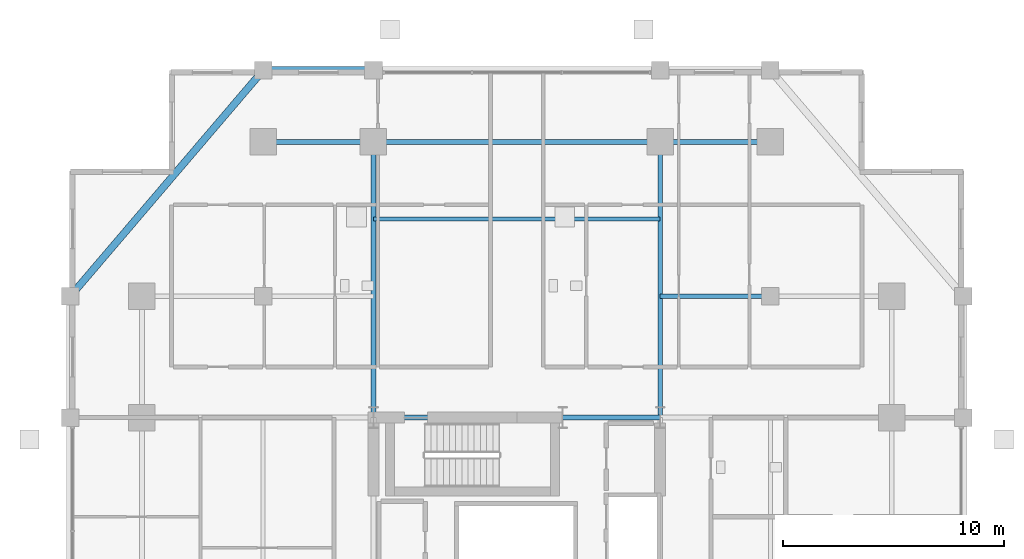
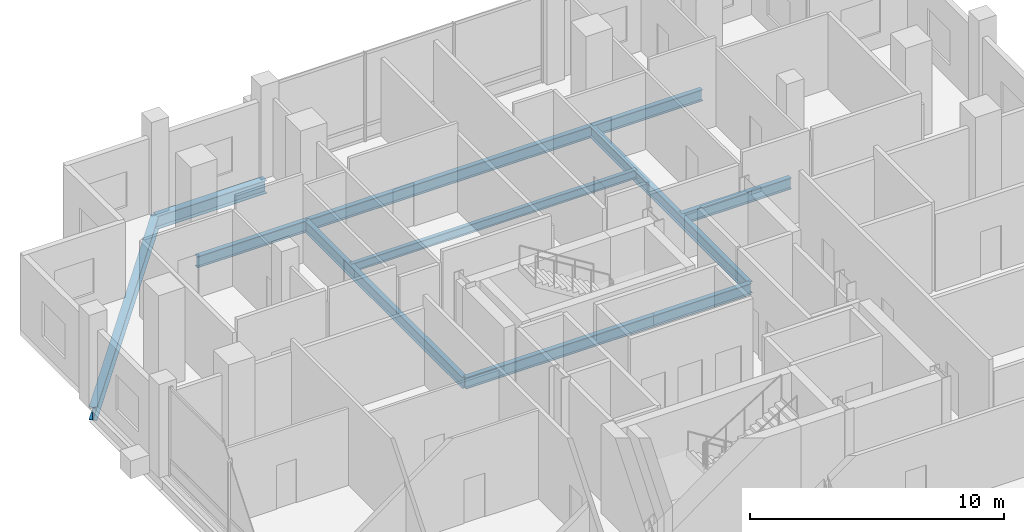
# One storey, part 9 of 19: 11 beams.
"""IFC4 building model written with IfcOpenShell, lengths in metres."""

from ifc_helpers import new_model, si_unit, direction, frame, origin, origin_2d, place, context, subcontext, project, spatial, i_section, extrude, material, material_profile, profile_set, type_object, element, save


model = new_model("IFC4")

# Units and contexts
model_context = context("Model", 3, precision=1e-05, world=origin(), true_north=direction((0.0, 1.0)))
body_context = subcontext(model_context, "Body", "Model", "MODEL_VIEW")
ifc_project = project(units=[si_unit("LENGTHUNIT", "METRE"), si_unit("AREAUNIT", "SQUARE_METRE"), si_unit("VOLUMEUNIT", "CUBIC_METRE"), si_unit("PLANEANGLEUNIT", "RADIAN"), si_unit("MASSUNIT", "GRAM", prefix="KILO")], contexts=[model_context])

# Site, building, storey
site_placement = place(None, origin())
site = spatial("IfcSite", under=ifc_project, at=site_placement, CompositionType="ELEMENT")
building_placement = place(site_placement, origin())
building = spatial("IfcBuilding", under=site, at=building_placement, Name="Barlavira Tower and Art Museum", CompositionType="ELEMENT")
storey_placement = place(building_placement, frame((0.0, 0.0, 125.10009765625)))
storey = spatial("IfcBuildingStorey", under=building, at=storey_placement, Name="L31", CompositionType="ELEMENT", Elevation=125.10009765625)

# Beams
ifc_material = material(Name="Steel S355", Category="steel")
ifc_material_profile_1 = material_profile(ifc_material, i_section(OverallWidth=0.327880859375, OverallDepth=0.62890625, WebThickness=0.013916015625, FlangeThickness=0.021484375, at=origin_2d()), Name="W610x174.0")
ifc_profile_set_1 = profile_set([ifc_material_profile_1], Name="Steel S355")
beam_type_1 = type_object("IfcBeamType", Name="Perimeter Spandrel Edge Beam W610x174 Steel S355", PredefinedType="SPANDREL", material=ifc_profile_set_1)
beam_1_placement = place(storey_placement, frame((-11.5, 23.25, -0.614501953125), z_axis=(1.0, 0.0, 0.0), x_axis=(0.0, 1.0, 0.0)))
element("IfcBeam", 1, at=beam_1_placement, inside=storey, type_object=beam_type_1, Name="L31 Spandrel 11", PredefinedType="SPANDREL", context=body_context, shape_type="SweptSolid", body=[
    extrude(i_section(OverallWidth=0.327880859375, OverallDepth=0.62890625, WebThickness=0.013916015625, FlangeThickness=0.021484375, at=origin_2d()), origin(), (0.0, 0.0, 1.0), 5.0),
])
beam_2_placement = place(storey_placement, frame((-11.5, 23.25, -0.614501953125), z_axis=(-0.649262379928, -0.760564502202, 0.0), x_axis=(0.760564502202, -0.649262379928, 0.0)))
element("IfcBeam", 2, at=beam_2_placement, inside=storey, type_object=beam_type_1, Name="L31 Spandrel 12", PredefinedType="SPANDREL", context=body_context, shape_type="SweptSolid", body=[
    extrude(i_section(OverallWidth=0.327880859375, OverallDepth=0.62890625, WebThickness=0.013916015625, FlangeThickness=0.021484375, at=origin_2d()), origin(), (0.0, 0.0, 1.0), 13.476806640625),
])
ifc_material_profile_2 = material_profile(ifc_material, i_section(OverallWidth=0.214111328125, OverallDepth=0.549072265625, WebThickness=0.0146484375, FlangeThickness=0.023681640625, at=origin_2d()), Name="W530x138.0")
ifc_profile_set_2 = profile_set([ifc_material_profile_2], Name="Steel S355")
beam_type_2 = type_object("IfcBeamType", Name="Zone 1 Primary Floor Girder W530x138 Steel S355", PredefinedType="BEAM", material=ifc_profile_set_2)
beam_3_placement = place(storey_placement, frame((-6.5, 7.5, -0.57470703125), z_axis=(1.0, 0.0, 0.0), x_axis=(0.0, 1.0, 0.0)))
element("IfcBeam", 3, at=beam_3_placement, inside=storey, type_object=beam_type_2, Name="L31 Girder C-N1", PredefinedType="BEAM", context=body_context, shape_type="SweptSolid", body=[
    extrude(i_section(OverallWidth=0.214111328125, OverallDepth=0.549072265625, WebThickness=0.0146484375, FlangeThickness=0.023681640625, at=origin_2d()), origin(), (0.0, 0.0, 1.0), 8.580078125),
])
beam_4_placement = place(storey_placement, frame((2.080078125, 7.5, -0.57470703125), z_axis=(1.0, 0.0, 0.0), x_axis=(0.0, 1.0, 0.0)))
element("IfcBeam", 4, at=beam_4_placement, inside=storey, type_object=beam_type_2, Name="L31 Girder C-N2", PredefinedType="BEAM", context=body_context, shape_type="SweptSolid", body=[
    extrude(i_section(OverallWidth=0.214111328125, OverallDepth=0.549072265625, WebThickness=0.0146484375, FlangeThickness=0.023681640625, at=origin_2d()), origin(), (0.0, 0.0, 1.0), 4.419921875),
])
beam_5_placement = place(storey_placement, frame((-11.5, 20.0, -0.57470703125), z_axis=(1.0, 0.0, 0.0), x_axis=(0.0, 1.0, 0.0)))
element("IfcBeam", 5, at=beam_5_placement, inside=storey, type_object=beam_type_2, Name="L31 Girder M-N1", PredefinedType="BEAM", context=body_context, shape_type="SweptSolid", body=[
    extrude(i_section(OverallWidth=0.214111328125, OverallDepth=0.549072265625, WebThickness=0.0146484375, FlangeThickness=0.023681640625, at=origin_2d()), origin(), (0.0, 0.0, 1.0), 5.0),
])
beam_6_placement = place(storey_placement, frame((-6.5, 20.0, -0.57470703125), z_axis=(1.0, 0.0, 0.0), x_axis=(0.0, 1.0, 0.0)))
element("IfcBeam", 6, at=beam_6_placement, inside=storey, type_object=beam_type_2, Name="L31 Girder M-N2", PredefinedType="BEAM", context=body_context, shape_type="SweptSolid", body=[
    extrude(i_section(OverallWidth=0.214111328125, OverallDepth=0.549072265625, WebThickness=0.0146484375, FlangeThickness=0.023681640625, at=origin_2d()), origin(), (0.0, 0.0, 1.0), 13.0),
])
beam_7_placement = place(storey_placement, frame((6.5, 20.0, -0.57470703125), z_axis=(1.0, 0.0, 0.0), x_axis=(0.0, 1.0, 0.0)))
element("IfcBeam", 7, at=beam_7_placement, inside=storey, type_object=beam_type_2, Name="L31 Girder M-N3", PredefinedType="BEAM", context=body_context, shape_type="SweptSolid", body=[
    extrude(i_section(OverallWidth=0.214111328125, OverallDepth=0.549072265625, WebThickness=0.0146484375, FlangeThickness=0.023681640625, at=origin_2d()), origin(), (0.0, 0.0, 1.0), 5.0),
])
for number, where, z_axis, x_axis, name in (
    (8, (-6.5, 7.5, -0.57470703125), (0.0, 1.0, 0.0), (-1.0, 0.0, 0.0), "L31 Girder R-N1"),
    (9, (6.5, 7.5, -0.57470703125), (0.0, 1.0, 0.0), (-1.0, 0.0, 0.0), "L31 Girder R-N2"),
):
    element("IfcBeam", number, at=place(storey_placement, frame(where, z_axis=z_axis, x_axis=x_axis)), inside=storey, type_object=beam_type_2, Name=name, PredefinedType="BEAM", context=body_context, shape_type="SweptSolid", body=[
        extrude(i_section(OverallWidth=0.214111328125, OverallDepth=0.549072265625, WebThickness=0.0146484375, FlangeThickness=0.023681640625, at=origin_2d()), origin(), (0.0, 0.0, 1.0), 12.5),
    ])
beam_8_placement = place(storey_placement, frame((6.5, 13.0, -0.57470703125), z_axis=(1.0, 0.0, 0.0), x_axis=(0.0, 1.0, 0.0)))
element("IfcBeam", 10, at=beam_8_placement, inside=storey, type_object=beam_type_2, Name="L31 Girder I-N3", PredefinedType="BEAM", context=body_context, shape_type="SweptSolid", body=[
    extrude(i_section(OverallWidth=0.214111328125, OverallDepth=0.549072265625, WebThickness=0.0146484375, FlangeThickness=0.023681640625, at=origin_2d()), origin(), (0.0, 0.0, 1.0), 5.0),
])
ifc_material_profile_3 = material_profile(ifc_material, i_section(OverallWidth=0.179931640625, OverallDepth=0.4130859375, WebThickness=0.009765625, FlangeThickness=0.01611328125, at=origin_2d()), Name="W410x75.0")
ifc_profile_set_3 = profile_set([ifc_material_profile_3], Name="Steel S355")
beam_type_3 = type_object("IfcBeamType", Name="Zone 2 Composite Floor Joist W410x75 Steel S355", PredefinedType="JOIST", material=ifc_profile_set_3)
beam_9_placement = place(storey_placement, frame((-6.5, 16.5, -0.506591796875), z_axis=(1.0, 0.0, 0.0), x_axis=(0.0, 1.0, 0.0)))
element("IfcBeam", 11, at=beam_9_placement, inside=storey, type_object=beam_type_3, Name="L31 Joist C2", PredefinedType="JOIST", context=body_context, shape_type="SweptSolid", body=[
    extrude(i_section(OverallWidth=0.179931640625, OverallDepth=0.4130859375, WebThickness=0.009765625, FlangeThickness=0.01611328125, at=origin_2d()), origin(), (0.0, 0.0, 1.0), 13.0),
])

save(model, "model.ifc")
